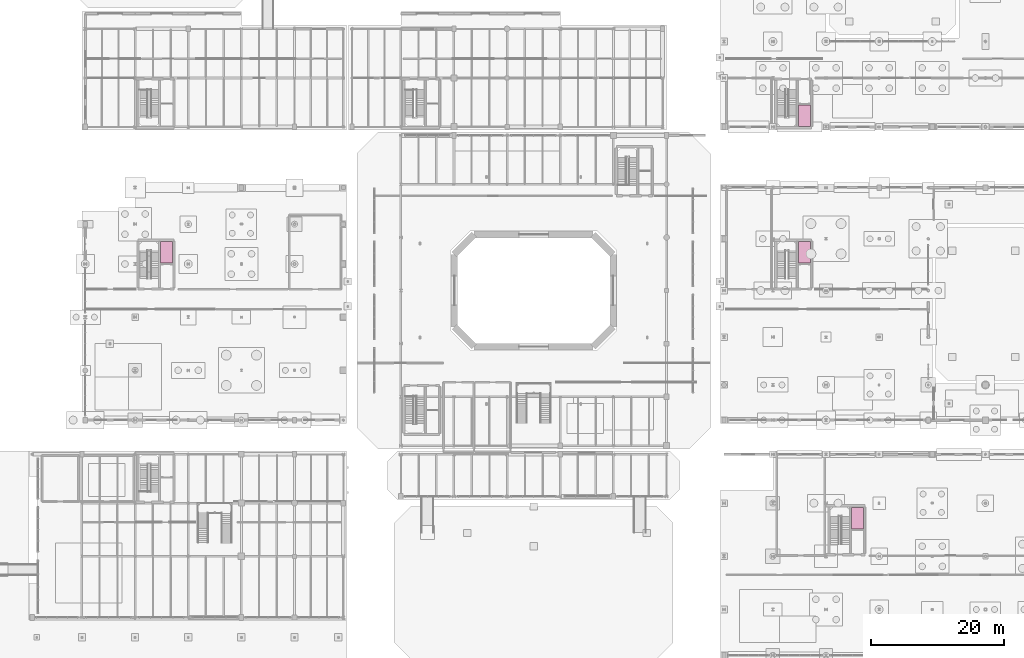
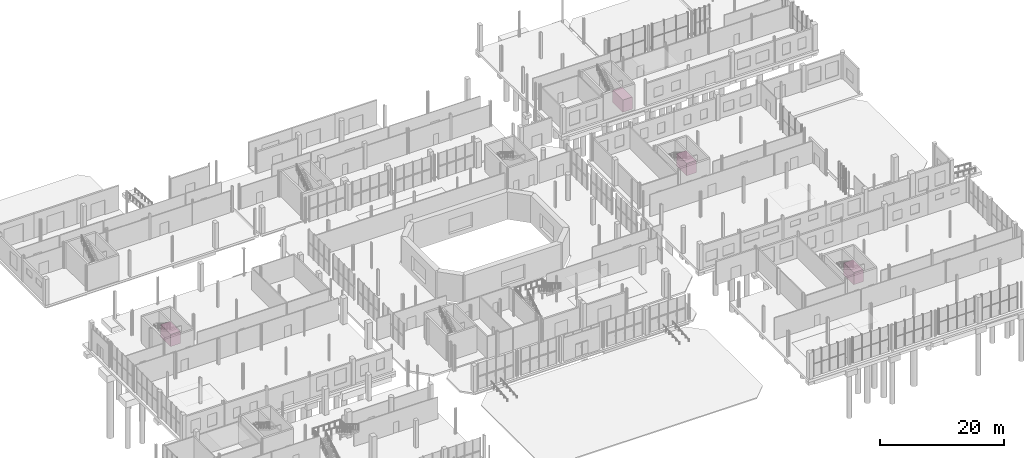
# One storey, part 87 of 87: 4 transport elements.
"""IFC4 building model written with IfcOpenShell, lengths in metres."""

from ifc_helpers import new_model, si_unit, direction, frame, origin, origin_2d, place, context, subcontext, project, spatial, rectangle, extrude, material, type_object, element, save


model = new_model("IFC4")

# Units and contexts
model_context = context("Model", 3, precision=1e-05, world=origin(), true_north=direction((0.0, 1.0)))
body_context = subcontext(model_context, "Body", "Model", "MODEL_VIEW")
ifc_project = project(units=[si_unit("LENGTHUNIT", "METRE"), si_unit("AREAUNIT", "SQUARE_METRE"), si_unit("VOLUMEUNIT", "CUBIC_METRE"), si_unit("PLANEANGLEUNIT", "RADIAN"), si_unit("MASSUNIT", "GRAM", prefix="KILO")], contexts=[model_context])

# Site, building, storey
site_placement = place(None, origin())
site = spatial("IfcSite", under=ifc_project, at=site_placement, CompositionType="ELEMENT")
building_placement = place(site_placement, origin())
building = spatial("IfcBuilding", under=site, at=building_placement, Name="Brisemont Oceanarium", CompositionType="ELEMENT")
storey_placement = place(building_placement, origin())
storey = spatial("IfcBuildingStorey", under=building, at=storey_placement, Name="L00", CompositionType="ELEMENT", Elevation=0.0)

# Transport elements
ifc_material = material(Name="Duplex Stainless Steel EN 1.4462", Category="steel")
transport_element_type = type_object("IfcTransportElementType", Name="LFT-PAX-1800", PredefinedType="ELEVATOR", material=ifc_material)
for number, where, z_axis, x_axis, name in (
    (1, (132.735107421875, 21.760009765625, 0.0), (0.0, 0.0, 1.0), (1.0, 0.0, 0.0), "Elevator LF-04 (C4)"),
    (2, (28.735107421875, 61.760009765625, 0.0), (0.0, 0.0, 1.0), (1.0, 0.0, 0.0), "Elevator LF-05 (C5)"),
    (3, (124.735107421875, 61.760009765625, 0.0), (0.0, 0.0, 1.0), (1.0, 0.0, 0.0), "Elevator LF-06 (C6)"),
    (4, (124.735107421875, 82.340087890625, 0.0), (0.0, 0.0, 1.0), (1.0, 0.0, 0.0), "Elevator LF-07 (C7)"),
):
    element("IfcTransportElement", number, at=place(storey_placement, frame(where, z_axis=z_axis, x_axis=x_axis)), inside=storey, type_object=transport_element_type, Name=name, PredefinedType="ELEVATOR", context=body_context, shape_type="SweptSolid", body=[
        extrude(rectangle(XDim=1.800048828125, YDim=3.25, at=origin_2d()), origin(), (0.0, 0.0, 1.0), 2.39990234375),
    ])

save(model, "model.ifc")
